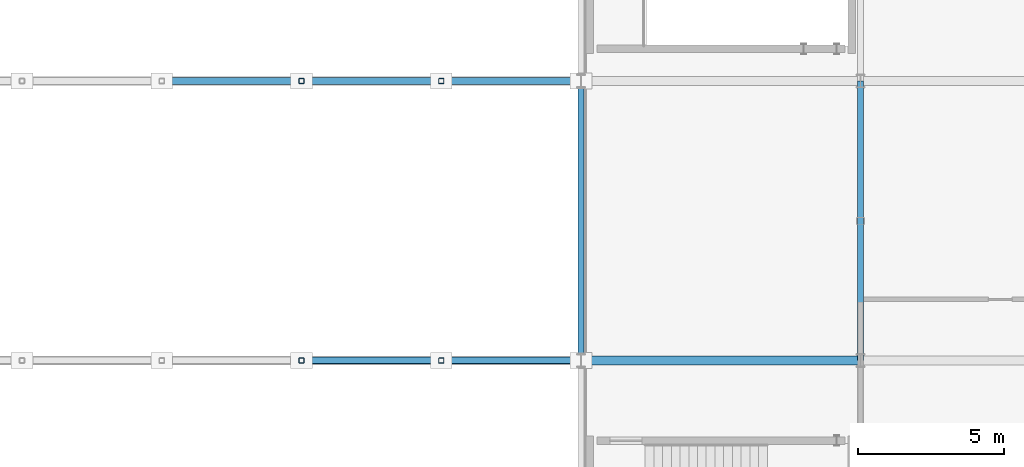
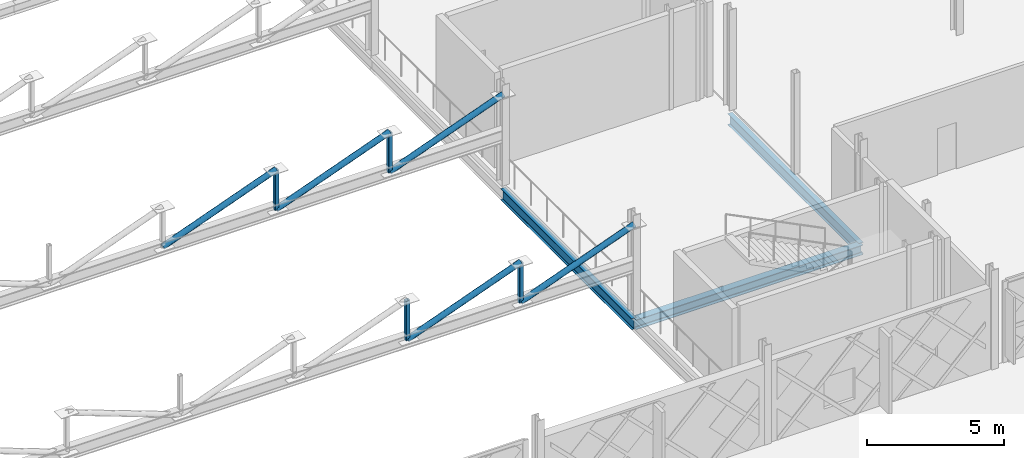
# One storey, part 30 of 101: 9 members, 3 beams.
"""IFC4 building model written with IfcOpenShell, lengths in metres."""

from ifc_helpers import new_model, si_unit, direction, frame, origin, origin_2d, place, context, subcontext, project, spatial, hollow_rectangle, hollow_circle, i_section, extrude, material, material_profile, profile_set, type_object, element, save


model = new_model("IFC4")

# Units and contexts
model_context = context("Model", 3, precision=1e-05, world=origin(), true_north=direction((0.0, 1.0)))
body_context = subcontext(model_context, "Body", "Model", "MODEL_VIEW")
ifc_project = project(units=[si_unit("LENGTHUNIT", "METRE"), si_unit("AREAUNIT", "SQUARE_METRE"), si_unit("VOLUMEUNIT", "CUBIC_METRE"), si_unit("PLANEANGLEUNIT", "RADIAN"), si_unit("MASSUNIT", "GRAM", prefix="KILO")], contexts=[model_context])

# Site, building, storey
site_placement = place(None, origin())
site = spatial("IfcSite", under=ifc_project, at=site_placement, CompositionType="ELEMENT")
building_placement = place(site_placement, origin())
building = spatial("IfcBuilding", under=site, at=building_placement, Name="Zevrakil Square Congress Hotel", CompositionType="ELEMENT")
storey_placement = place(building_placement, frame((0.0, 0.0, 5.39990234375)))
storey = spatial("IfcBuildingStorey", under=building, at=storey_placement, Name="L02", CompositionType="ELEMENT", Elevation=5.39990234375)

# Beams
ifc_material_1 = material(Name="Steel S355", Category="steel")
ifc_material_profile_1 = material_profile(ifc_material_1, i_section(OverallWidth=0.300048828125, OverallDepth=0.43994140625, WebThickness=0.011474609375, FlangeThickness=0.02099609375, FilletRadius=0.027099609375, at=origin_2d()), Name="HEA 450")
ifc_profile_set_1 = profile_set([ifc_material_profile_1], Name="Steel S355")
beam_type_1 = type_object("IfcBeamType", Name="BM-HEA450", PredefinedType="BEAM", material=ifc_profile_set_1)
beam_placement = place(storey_placement, frame((45.60009765625, 16.800048828125, -0.47998046875), z_axis=(1.0, 0.0, 0.0), x_axis=(0.0, 1.0, 0.0)))
element("IfcBeam", 1, at=beam_placement, inside=storey, type_object=beam_type_1, Name="L02 primary girder BX-0693", PredefinedType="BEAM", context=body_context, shape_type="SweptSolid", body=[
    extrude(i_section(OverallWidth=0.300048828125, OverallDepth=0.43994140625, WebThickness=0.011474609375, FlangeThickness=0.02099609375, FilletRadius=0.027099609375, at=origin_2d()), origin(), (0.0, 0.0, 1.0), 9.599853515625),
])
ifc_material_2 = material(Name="Steel S355", Category="steel")
ifc_material_profile_2 = material_profile(ifc_material_2, i_section(OverallWidth=0.199951171875, OverallDepth=0.5, WebThickness=0.01025390625, FlangeThickness=0.01611328125, FilletRadius=0.02099609375, at=origin_2d()), Name="IPE 500")
ifc_profile_set_2 = profile_set([ifc_material_profile_2], Name="Steel S355")
beam_type_2 = type_object("IfcBeamType", Name="BM-IPE500", PredefinedType="BEAM", material=ifc_profile_set_2)
for number, where, z_axis, x_axis, name in (
    (2, (45.60009765625, 16.800048828125, -0.510009765625), (0.0, 1.0, 0.0), (-1.0, 0.0, 0.0), "L02 primary girder BY-0844"),
    (3, (55.199951171875, 16.800048828125, -0.510009765625), (0.0, 1.0, 0.0), (-1.0, 0.0, 0.0), "L02 primary girder BY-0856"),
):
    element("IfcBeam", number, at=place(storey_placement, frame(where, z_axis=z_axis, x_axis=x_axis)), inside=storey, type_object=beam_type_2, Name=name, PredefinedType="BEAM", context=body_context, shape_type="SweptSolid", body=[
        extrude(i_section(OverallWidth=0.199951171875, OverallDepth=0.5, WebThickness=0.01025390625, FlangeThickness=0.01611328125, FilletRadius=0.02099609375, at=origin_2d()), origin(), (0.0, 0.0, 1.0), 9.599853515625),
    ])

# Members
ifc_material_3 = material(Name="Steel S355", Category="steel")
ifc_material_profile_3 = material_profile(ifc_material_3, hollow_circle(Radius=0.122314453125, WallThickness=0.012451171875, at=origin_2d()), Name="CHS 244.5x12.5")
ifc_profile_set_3 = profile_set([ifc_material_profile_3], Name="Steel S355")
member_type_1 = type_object("IfcMemberType", Name="MEM-BRACE-CHS244", PredefinedType="BRACE", material=ifc_profile_set_3)
for number, where, z_axis, x_axis, name in (
    (4, (36.0, 16.800048828125, 2.150146484375), (0.937932774607, 0.0, 0.346817113646), (0.0, 1.0, 0.0), "Ballroom Pratt truss diagonal BTD-16"),
    (5, (40.800048828125, 16.800048828125, 2.150146484375), (0.937932774607, 0.0, 0.346817113646), (0.0, 1.0, 0.0), "Ballroom Pratt truss diagonal BTD-17"),
    (6, (31.199951171875, 26.39990234375, 2.150146484375), (0.937932774607, 0.0, 0.346817113646), (0.0, 1.0, 0.0), "Ballroom Pratt truss diagonal BTD-25"),
    (7, (36.0, 26.39990234375, 2.150146484375), (0.937932774607, 0.0, 0.346817113646), (0.0, 1.0, 0.0), "Ballroom Pratt truss diagonal BTD-26"),
    (8, (40.800048828125, 26.39990234375, 2.150146484375), (0.937932774607, 0.0, 0.346817113646), (0.0, 1.0, 0.0), "Ballroom Pratt truss diagonal BTD-27"),
):
    element("IfcMember", number, at=place(storey_placement, frame(where, z_axis=z_axis, x_axis=x_axis)), inside=storey, type_object=member_type_1, Name=name, PredefinedType="BRACE", context=body_context, shape_type="SweptSolid", body=[
        extrude(hollow_circle(Radius=0.122314453125, WallThickness=0.012451171875, at=origin_2d()), origin(), (0.0, 0.0, 1.0), 5.11767578125),
    ])
ifc_material_4 = material(Name="Steel S355", Category="steel")
ifc_material_profile_4 = material_profile(ifc_material_4, hollow_rectangle(XDim=0.179931640625, YDim=0.179931640625, WallThickness=0.010009765625, InnerFilletRadius=0.010009765625, OuterFilletRadius=0.02001953125, at=origin_2d()), Name="SHS 180x180x10")
ifc_profile_set_4 = profile_set([ifc_material_profile_4], Name="Steel S355")
member_type_2 = type_object("IfcMemberType", Name="MEM-BRACE-SHS180", PredefinedType="BRACE", material=ifc_profile_set_4)
for number, where, z_axis, x_axis, name in (
    (9, (36.0, 16.800048828125, 2.150146484375), (0.0, 0.0, 1.0), (1.0, 0.0, 0.0), "Ballroom Pratt truss vertical BTV-16"),
    (10, (40.800048828125, 16.800048828125, 2.150146484375), (0.0, 0.0, 1.0), (1.0, 0.0, 0.0), "Ballroom Pratt truss vertical BTV-17"),
    (11, (36.0, 26.39990234375, 2.150146484375), (0.0, 0.0, 1.0), (1.0, 0.0, 0.0), "Ballroom Pratt truss vertical BTV-26"),
    (12, (40.800048828125, 26.39990234375, 2.150146484375), (0.0, 0.0, 1.0), (1.0, 0.0, 0.0), "Ballroom Pratt truss vertical BTV-27"),
):
    element("IfcMember", number, at=place(storey_placement, frame(where, z_axis=z_axis, x_axis=x_axis)), inside=storey, type_object=member_type_2, Name=name, PredefinedType="BRACE", context=body_context, shape_type="SweptSolid", body=[
        extrude(hollow_rectangle(XDim=0.179931640625, YDim=0.179931640625, WallThickness=0.010009765625, InnerFilletRadius=0.010009765625, OuterFilletRadius=0.02001953125, at=origin_2d()), origin(), (0.0, 0.0, 1.0), 1.77490234375),
    ])

save(model, "model.ifc")
